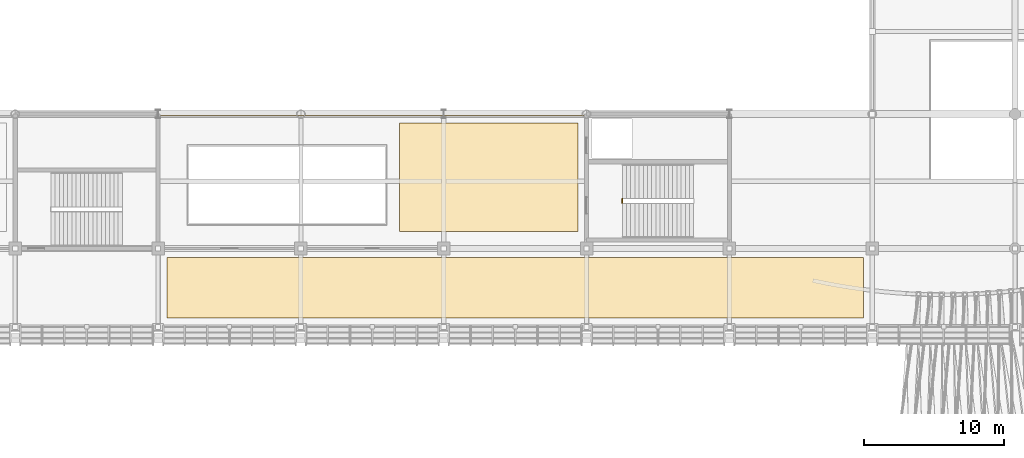
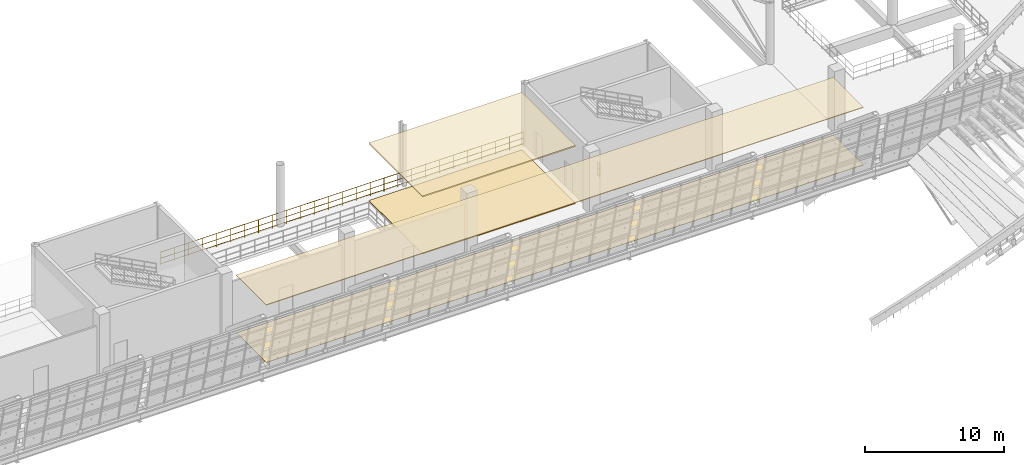
# One storey, part 159 of 175: 4 coverings, 2 railings.
"""IFC4 building model written with IfcOpenShell, lengths in metres."""

from ifc_helpers import new_model, si_unit, direction, frame, origin, origin_2d, place, context, subcontext, project, spatial, polyline, circle, outline, extrude, material, layer, layer_set, type_object, element, save


model = new_model("IFC4")

# Units and contexts
model_context = context("Model", 3, precision=1e-05, world=origin(), true_north=direction((0.0, 1.0)))
body_context = subcontext(model_context, "Body", "Model", "MODEL_VIEW")
ifc_project = project(units=[si_unit("LENGTHUNIT", "METRE"), si_unit("AREAUNIT", "SQUARE_METRE"), si_unit("VOLUMEUNIT", "CUBIC_METRE"), si_unit("PLANEANGLEUNIT", "RADIAN"), si_unit("MASSUNIT", "GRAM", prefix="KILO")], contexts=[model_context])

# Site, building, storey
site_placement = place(None, origin())
site = spatial("IfcSite", under=ifc_project, at=site_placement, CompositionType="ELEMENT")
building_placement = place(site_placement, origin())
building = spatial("IfcBuilding", under=site, at=building_placement, Name="Brelvane Convention Centre", CompositionType="ELEMENT")
storey_placement = place(building_placement, frame((0.0, 0.0, 5.39990234375)))
storey = spatial("IfcBuildingStorey", under=building, at=storey_placement, Name="L01", CompositionType="ELEMENT", Elevation=5.39990234375)

# Coverings
ifc_material_1 = material(Name="Perforated Anodised Aluminium Alloy 6063 Acoustic Baffle", Category="aluminium")
ifc_layer_1 = layer(ifc_material_1, 0.110107421875)
ifc_layer_set_1 = layer_set([ifc_layer_1], Name="Perforated Anodised Aluminium Alloy 6063 Acoustic Baffle")
covering_type_1 = type_object("IfcCoveringType", Name="Interior Finish CL-BAF-110", PredefinedType="CEILING", material=ifc_layer_set_1)
covering_1_placement = place(storey_placement, frame((0.0, 0.0, 5.010009765625)))
element("IfcCovering", 1, at=covering_1_placement, inside=storey, type_object=covering_type_1, Name="Exhibition Overlook Gallery East Acoustic Ceiling (CL-BAF-110)", PredefinedType="CEILING", context=body_context, shape_type="SweptSolid", body=[
    extrude(outline(polyline([(109.030029296875, 20.429931640625), (121.77001953125, 20.429931640625), (121.77001953125, 28.169921875), (109.030029296875, 28.169921875), (109.030029296875, 20.429931640625)])), origin(), (0.0, 0.0, 1.0), 0.110107421875),
])
ifc_material_2 = material(Name="Perforated Anodised Aluminium Alloy 6063 Acoustic Baffle", Category="aluminium")
ifc_layer_2 = layer(ifc_material_2, 0.06005859375)
ifc_layer_set_2 = layer_set([ifc_layer_2], Name="Perforated Anodised Aluminium Alloy 6063 Acoustic Baffle")
covering_type_2 = type_object("IfcCoveringType", Name="Interior Finish CL-BAF-60", PredefinedType="CEILING", material=ifc_layer_set_2)
covering_2_placement = place(storey_placement, frame((0.0, 0.0, 5.06005859375)))
element("IfcCovering", 2, at=covering_2_placement, inside=storey, type_object=covering_type_2, Name="Exhibition Organizer Suite 2 Acoustic Ceiling (CL-BAF-60)", PredefinedType="CEILING", context=body_context, shape_type="SweptSolid", body=[
    extrude(outline(polyline([(92.429931640625, 14.22998046875), (142.169921875, 14.22998046875), (142.169921875, 18.570068359375), (92.429931640625, 18.570068359375), (92.429931640625, 14.22998046875)])), origin(), (0.0, 0.0, 1.0), 0.06005859375),
])
ifc_material_3 = material(Name="Heavy-Duty Quartz-Filled Industrial Epoxy Screed Grade A")
ifc_layer_3 = layer(ifc_material_3, 0.044921875)
ifc_layer_set_3 = layer_set([ifc_layer_3], Name="Heavy-Duty Quartz-Filled Industrial Epoxy Screed Grade A")
covering_type_3 = type_object("IfcCoveringType", Name="Interior Finish FL-EPX-45", PredefinedType="FLOORING", material=ifc_layer_set_3)
covering_3_placement = place(storey_placement, origin())
element("IfcCovering", 3, at=covering_3_placement, inside=storey, type_object=covering_type_3, Name="Exhibition Overlook Gallery East Floor Finish (FL-EPX-45)", PredefinedType="FLOORING", context=body_context, shape_type="SweptSolid", body=[
    extrude(outline(polyline([(109.030029296875, 20.429931640625), (121.77001953125, 20.429931640625), (121.77001953125, 28.169921875), (109.030029296875, 28.169921875), (109.030029296875, 20.429931640625)])), origin(), (0.0, 0.0, 1.0), 0.045166015625),
])
ifc_material_4 = material(Name="Polished Basalt-Aggregate Terrazzo Screed Concrete M30", Category="masonry")
ifc_layer_4 = layer(ifc_material_4, 0.0400390625)
ifc_layer_set_4 = layer_set([ifc_layer_4], Name="Polished Basalt-Aggregate Terrazzo Screed Concrete M30")
covering_type_4 = type_object("IfcCoveringType", Name="Interior Finish FL-TER-40", PredefinedType="FLOORING", material=ifc_layer_set_4)
covering_4_placement = place(storey_placement, origin())
element("IfcCovering", 4, at=covering_4_placement, inside=storey, type_object=covering_type_4, Name="Exhibition Organizer Suite 2 Floor Finish (FL-TER-40)", PredefinedType="FLOORING", context=body_context, shape_type="SweptSolid", body=[
    extrude(outline(polyline([(92.429931640625, 14.22998046875), (142.169921875, 14.22998046875), (142.169921875, 18.570068359375), (92.429931640625, 18.570068359375), (92.429931640625, 14.22998046875)])), origin(), (0.0, 0.0, 1.0), 0.0400390625),
])

# Railings
ifc_material_5 = material(Name="Steel E350 (350 MPa)", Category="steel")
railing_type_1 = type_object("IfcRailingType", Name="Railing BL-ATR-1", PredefinedType="BALUSTRADE", material=ifc_material_5)
railing_1_placement = place(storey_placement, frame((92.0, 28.679931640625, 0.0)))
element("IfcRailing", 5, at=railing_1_placement, inside=storey, type_object=railing_type_1, Name="Railing BL-ATR-1 L01-exh_overlook_l01_e", PredefinedType="BALUSTRADE", context=body_context, shape_type="SweptSolid", body=[
    extrude(circle(Radius=0.02392578125, at=origin_2d()), frame((0.0, 0.0, 1.15576171875), z_axis=(1.0, 0.0, 0.0), x_axis=(0.0, 1.0, 0.0)), (0.0, 0.0, 1.0), 30.199951171875),
    extrude(circle(Radius=0.02392578125, at=origin_2d()), frame((0.0, 0.0, 0.613525390625), z_axis=(1.0, 0.0, 0.0), x_axis=(0.0, 1.0, 0.0)), (0.0, 0.0, 1.0), 30.199951171875),
    extrude(circle(Radius=0.02392578125, at=origin_2d()), frame((0.0, 0.0, 0.139892578125), z_axis=(1.0, 0.0, 0.0), x_axis=(0.0, 1.0, 0.0)), (0.0, 0.0, 1.0), 30.199951171875),
    extrude(circle(Radius=0.02099609375, at=origin_2d()), origin(), (0.0, 0.0, 1.0), 1.1318359375),
    extrude(circle(Radius=0.02099609375, at=origin_2d()), frame((1.16162109375, 0.0, 0.0)), (0.0, 0.0, 1.0), 1.1318359375),
    extrude(circle(Radius=0.02099609375, at=origin_2d()), frame((2.322998046875, 0.0, 0.0)), (0.0, 0.0, 1.0), 1.1318359375),
    extrude(circle(Radius=0.02099609375, at=origin_2d()), frame((3.484619140625, 0.0, 0.0)), (0.0, 0.0, 1.0), 1.1318359375),
    extrude(circle(Radius=0.02099609375, at=origin_2d()), frame((4.646240234375, 0.0, 0.0)), (0.0, 0.0, 1.0), 1.1318359375),
    extrude(circle(Radius=0.02099609375, at=origin_2d()), frame((5.8076171875, 0.0, 0.0)), (0.0, 0.0, 1.0), 1.1318359375),
    extrude(circle(Radius=0.02099609375, at=origin_2d()), frame((6.96923828125, 0.0, 0.0)), (0.0, 0.0, 1.0), 1.1318359375),
    extrude(circle(Radius=0.02099609375, at=origin_2d()), frame((8.130859375, 0.0, 0.0)), (0.0, 0.0, 1.0), 1.1318359375),
    extrude(circle(Radius=0.02099609375, at=origin_2d()), frame((9.292236328125, 0.0, 0.0)), (0.0, 0.0, 1.0), 1.1318359375),
    extrude(circle(Radius=0.02099609375, at=origin_2d()), frame((10.453857421875, 0.0, 0.0)), (0.0, 0.0, 1.0), 1.1318359375),
    extrude(circle(Radius=0.02099609375, at=origin_2d()), frame((11.615478515625, 0.0, 0.0)), (0.0, 0.0, 1.0), 1.1318359375),
    extrude(circle(Radius=0.02099609375, at=origin_2d()), frame((12.77685546875, 0.0, 0.0)), (0.0, 0.0, 1.0), 1.1318359375),
    extrude(circle(Radius=0.02099609375, at=origin_2d()), frame((13.9384765625, 0.0, 0.0)), (0.0, 0.0, 1.0), 1.1318359375),
    extrude(circle(Radius=0.02099609375, at=origin_2d()), frame((15.10009765625, 0.0, 0.0)), (0.0, 0.0, 1.0), 1.1318359375),
    extrude(circle(Radius=0.02099609375, at=origin_2d()), frame((16.261474609375, 0.0, 0.0)), (0.0, 0.0, 1.0), 1.1318359375),
    extrude(circle(Radius=0.02099609375, at=origin_2d()), frame((17.423095703125, 0.0, 0.0)), (0.0, 0.0, 1.0), 1.1318359375),
    extrude(circle(Radius=0.02099609375, at=origin_2d()), frame((18.58447265625, 0.0, 0.0)), (0.0, 0.0, 1.0), 1.1318359375),
    extrude(circle(Radius=0.02099609375, at=origin_2d()), frame((19.74609375, 0.0, 0.0)), (0.0, 0.0, 1.0), 1.1318359375),
    extrude(circle(Radius=0.02099609375, at=origin_2d()), frame((20.90771484375, 0.0, 0.0)), (0.0, 0.0, 1.0), 1.1318359375),
    extrude(circle(Radius=0.02099609375, at=origin_2d()), frame((22.069091796875, 0.0, 0.0)), (0.0, 0.0, 1.0), 1.1318359375),
    extrude(circle(Radius=0.02099609375, at=origin_2d()), frame((23.230712890625, 0.0, 0.0)), (0.0, 0.0, 1.0), 1.1318359375),
    extrude(circle(Radius=0.02099609375, at=origin_2d()), frame((24.392333984375, 0.0, 0.0)), (0.0, 0.0, 1.0), 1.1318359375),
    extrude(circle(Radius=0.02099609375, at=origin_2d()), frame((25.5537109375, 0.0, 0.0)), (0.0, 0.0, 1.0), 1.1318359375),
    extrude(circle(Radius=0.02099609375, at=origin_2d()), frame((26.71533203125, 0.0, 0.0)), (0.0, 0.0, 1.0), 1.1318359375),
    extrude(circle(Radius=0.02099609375, at=origin_2d()), frame((27.876953125, 0.0, 0.0)), (0.0, 0.0, 1.0), 1.1318359375),
    extrude(circle(Radius=0.02099609375, at=origin_2d()), frame((29.038330078125, 0.0, 0.0)), (0.0, 0.0, 1.0), 1.1318359375),
    extrude(circle(Radius=0.02099609375, at=origin_2d()), frame((30.199951171875, 0.0, 0.0)), (0.0, 0.0, 1.0), 1.1318359375),
])
ifc_material_6 = material(Name="Steel E350 (350 MPa)", Category="steel")
railing_type_2 = type_object("IfcRailingType", Name="Stair Railing GR-ST-2", PredefinedType="GUARDRAIL", material=ifc_material_6)
railing_2_placement = place(storey_placement, frame((124.949951171875, 22.43994140625, -0.02001953125)))
element("IfcRailing", 6, at=railing_2_placement, inside=storey, type_object=railing_type_2, Name="Stair ST-02 L01 Landing Well Guard", PredefinedType="GUARDRAIL", context=body_context, shape_type="SweptSolid", body=[
    extrude(circle(Radius=0.02392578125, at=origin_2d()), frame((0.0, 0.0, 1.15576171875), z_axis=(0.0, 1.0, 0.0), x_axis=(-1.0, 0.0, 0.0)), (0.0, 0.0, 1.0), 0.320068359375),
    extrude(circle(Radius=0.02392578125, at=origin_2d()), frame((0.0, 0.0, 0.613525390625), z_axis=(0.0, 1.0, 0.0), x_axis=(-1.0, 0.0, 0.0)), (0.0, 0.0, 1.0), 0.320068359375),
    extrude(circle(Radius=0.02392578125, at=origin_2d()), frame((0.0, 0.0, 0.139892578125), z_axis=(0.0, 1.0, 0.0), x_axis=(-1.0, 0.0, 0.0)), (0.0, 0.0, 1.0), 0.320068359375),
    extrude(circle(Radius=0.02099609375, at=origin_2d()), origin(), (0.0, 0.0, 1.0), 1.1318359375),
    extrude(circle(Radius=0.02099609375, at=origin_2d()), frame((0.0, 0.320068359375, 0.0)), (0.0, 0.0, 1.0), 1.1318359375),
])

save(model, "model.ifc")
